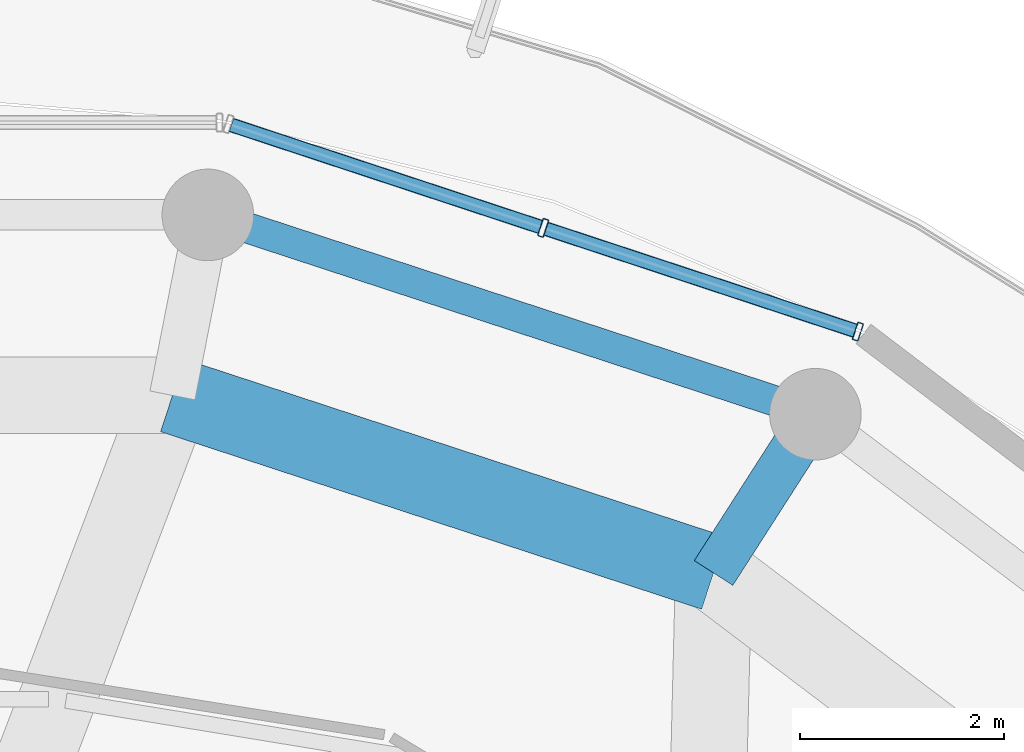
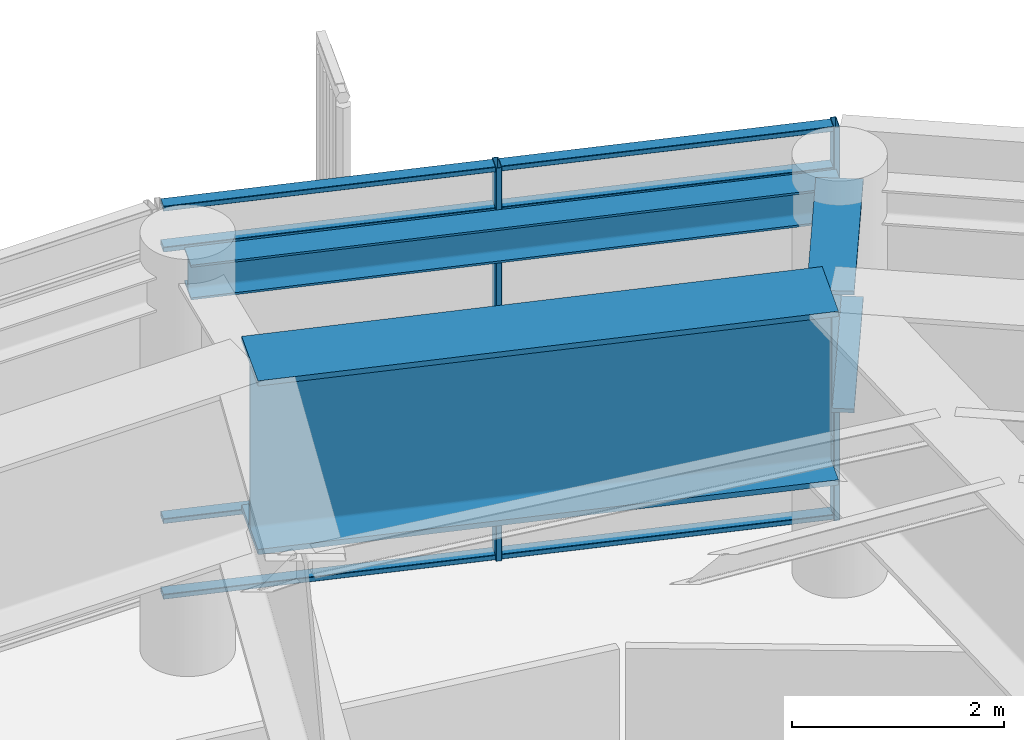
# One storey, part 15 of 23: 10 members, 3 beams, 1 element without a shape of its own.
"""IFC4 building model written with IfcOpenShell, lengths in metres."""

from ifc_helpers import new_model, si_unit, direction, frame, origin, origin_2d, place, context, subcontext, project, spatial, hollow_rectangle, i_section, extrude, material, layer, layer_set, material_profile, profile_set, type_object, element, aggregate, save


model = new_model("IFC4")

# Units and contexts
model_context = context("Model", 3, precision=1e-05, world=origin(), true_north=direction((0.0, 1.0)))
body_context = subcontext(model_context, "Body", "Model", "MODEL_VIEW")
ifc_project = project(units=[si_unit("LENGTHUNIT", "METRE"), si_unit("AREAUNIT", "SQUARE_METRE"), si_unit("VOLUMEUNIT", "CUBIC_METRE"), si_unit("PLANEANGLEUNIT", "RADIAN"), si_unit("MASSUNIT", "GRAM", prefix="KILO")], contexts=[model_context])

# Site, building, storey
site_placement = place(None, origin())
site = spatial("IfcSite", under=ifc_project, at=site_placement, CompositionType="ELEMENT")
building_placement = place(site_placement, origin())
building = spatial("IfcBuilding", under=site, at=building_placement, Name="Kelanora Arch Commons", CompositionType="ELEMENT")
storey_placement = place(building_placement, frame((0.0, 0.0, 293.699951171875)))
storey = spatial("IfcBuildingStorey", under=building, at=storey_placement, Name="L75", CompositionType="ELEMENT", Elevation=293.699951171875)

# Beams
ifc_material_1 = material(Name="Steel S355", Category="steel")
ifc_material_profile_1 = material_profile(ifc_material_1, i_section(OverallWidth=0.449951171875, OverallDepth=1.39990234375, WebThickness=0.028076171875, FlangeThickness=0.044921875, FilletRadius=0.02392578125, at=origin_2d()), Name="PG1400x450")
ifc_profile_set_1 = profile_set([ifc_material_profile_1], Name="Steel S355")
beam_type_1 = type_object("IfcBeamType", Name="BM-MAST-GRIL", PredefinedType="USERDEFINED", material=ifc_profile_set_1)
beam_1_placement = place(storey_placement, frame((82.139892578125, 70.71337890625, 3.820068359375), z_axis=(0.539951170106, 0.841696343048, 0.0), x_axis=(-0.841696343048, 0.539951170106, 0.0)))
element("IfcBeam", 1, at=beam_1_placement, inside=storey, type_object=beam_type_1, Name="Radial Floor Girder BR-06 L75", ObjectType="TRANSFER_GIRDER", PredefinedType="USERDEFINED", context=body_context, shape_type="SweptSolid", body=[
    extrude(i_section(OverallWidth=0.449951171875, OverallDepth=1.39990234375, WebThickness=0.028076171875, FlangeThickness=0.044921875, FilletRadius=0.02392578125, at=origin_2d()), origin(), (0.0, 0.0, 1.0), 1.85205078125),
])
ifc_material_profile_2 = material_profile(ifc_material_1, i_section(OverallWidth=0.300048828125, OverallDepth=0.39990234375, WebThickness=0.013427734375, FlangeThickness=0.02392578125, FilletRadius=0.027099609375, at=origin_2d()), Name="HEB400")
ifc_profile_set_2 = profile_set([ifc_material_profile_2], Name="Steel S355")
beam_type_2 = type_object("IfcBeamType", Name="BM-SPN-Z4", PredefinedType="SPANDREL", material=ifc_profile_set_2)
beam_2_placement = place(storey_placement, frame((83.139892578125, 72.272216796875, 4.320068359375), z_axis=(-0.950165923039, 0.311744636996, 0.0), x_axis=(-0.311744636996, -0.950165923039, 0.0)))
element("IfcBeam", 2, at=beam_2_placement, inside=storey, type_object=beam_type_2, Name="Perimeter Spandrel Beam BS-06 L75", PredefinedType="SPANDREL", context=body_context, shape_type="SweptSolid", body=[
    extrude(i_section(OverallWidth=0.300048828125, OverallDepth=0.39990234375, WebThickness=0.013427734375, FlangeThickness=0.02392578125, FilletRadius=0.027099609375, at=origin_2d()), origin(), (0.0, 0.0, 1.0), 6.278564453125),
])
ifc_material_profile_3 = material_profile(ifc_material_1, i_section(OverallWidth=0.75, OverallDepth=2.0, WebThickness=0.034912109375, FlangeThickness=0.06005859375, FilletRadius=0.028076171875, at=origin_2d()), Name="PG2000x750")
ifc_profile_set_3 = profile_set([ifc_material_profile_3], Name="Steel S355")
beam_type_3 = type_object("IfcBeamType", Name="BM-XFER-SET", PredefinedType="USERDEFINED", material=ifc_profile_set_3)
beam_3_placement = place(storey_placement, frame((82.139892578125, 70.71337890625, 3.5400390625), z_axis=(-0.950140083071, 0.311823383572, 0.0), x_axis=(-0.311823383572, -0.950140083071, 0.0)))
element("IfcBeam", 3, at=beam_3_placement, inside=storey, type_object=beam_type_3, Name="Setback Inner Transfer Ring BSI-06 L75", ObjectType="TRANSFER_GIRDER", PredefinedType="USERDEFINED", context=body_context, shape_type="SweptSolid", body=[
    extrude(i_section(OverallWidth=0.75, OverallDepth=2.0, WebThickness=0.034912109375, FlangeThickness=0.06005859375, FilletRadius=0.028076171875, at=origin_2d()), origin(), (0.0, 0.0, 1.0), 5.591796875),
])

# Curtain wall, members
ifc_material_2 = material(Name="Terracotta ceramic-fritted low-E glass and aluminium", Category="masonry")
ifc_layer = layer(ifc_material_2, 0.22509765625)
ifc_layer_set = layer_set([ifc_layer], Name="Terracotta ceramic-fritted low-E glass and aluminium")
curtain_wall_type = type_object("IfcCurtainWallType", Name="CW-SYS-05", PredefinedType="NOTDEFINED", material=ifc_layer_set)
curtain_wall_placement = place(storey_placement, origin())
curtain_wall = element("IfcCurtainWall", 4, at=curtain_wall_placement, inside=storey, type_object=curtain_wall_type, Name="Unitised Curtain Wall L75-B03", PredefinedType="NOTDEFINED")
ifc_material_3 = material(Name="Powder-coated aluminium terracotta", Category="masonry")
ifc_material_profile_4 = material_profile(ifc_material_3, hollow_rectangle(XDim=0.179931640625, YDim=0.06005859375, WallThickness=0.0048828125, InnerFilletRadius=0.0048828125, OuterFilletRadius=0.010009765625, at=origin_2d()), Name="CWM180x60")
ifc_profile_set_4 = profile_set([ifc_material_profile_4], Name="Powder-coated aluminium terracotta")
member_type_1 = type_object("IfcMemberType", Name="CWM-HVY", PredefinedType="MULLION", material=ifc_profile_set_4)
member_1_placement = place(storey_placement, frame((83.557373046875, 73.0830078125, 0.0), z_axis=(0.0, 0.0, 1.0), x_axis=(-0.313252785344, -0.949669780752, 0.0)))
member_1 = element("IfcMember", 5, at=member_1_placement, type_object=member_type_1, Name="CW-05 mullion 1", PredefinedType="MULLION", context=body_context, shape_type="SweptSolid", body=[
    extrude(hollow_rectangle(XDim=0.179931640625, YDim=0.06005859375, WallThickness=0.0048828125, InnerFilletRadius=0.0048828125, OuterFilletRadius=0.010009765625, at=origin_2d()), origin(), (0.0, 0.0, 1.0), 4.525146484375),
])
member_2_placement = place(storey_placement, frame((80.467041015625, 74.102294921875, 0.0), z_axis=(0.0, 0.0, 1.0), x_axis=(-0.313252785344, -0.949669780752, 0.0)))
member_2 = element("IfcMember", 6, at=member_2_placement, type_object=member_type_1, Name="CW-05 mullion 2", PredefinedType="MULLION", context=body_context, shape_type="SweptSolid", body=[
    extrude(hollow_rectangle(XDim=0.179931640625, YDim=0.06005859375, WallThickness=0.0048828125, InnerFilletRadius=0.0048828125, OuterFilletRadius=0.010009765625, at=origin_2d()), origin(), (0.0, 0.0, 1.0), 4.525146484375),
])
ifc_material_profile_5 = material_profile(ifc_material_3, hollow_rectangle(XDim=0.139892578125, YDim=0.06005859375, WallThickness=0.0048828125, InnerFilletRadius=0.0048828125, OuterFilletRadius=0.010009765625, at=origin_2d()), Name="CWT140x60")
ifc_profile_set_5 = profile_set([ifc_material_profile_5], Name="Powder-coated aluminium terracotta")
member_type_2 = type_object("IfcMemberType", Name="CWT-HVY", PredefinedType="USERDEFINED", material=ifc_profile_set_5)
member_3_placement = place(storey_placement, frame((83.52880859375, 73.09228515625, 0.030029296875), z_axis=(-0.949672315102, 0.313245102003, 0.0), x_axis=(-0.313245102003, -0.949672315102, 0.0)))
member_3 = element("IfcMember", 7, at=member_3_placement, type_object=member_type_2, Name="CW-05 transom 1.1", ObjectType="TRANSOM", PredefinedType="USERDEFINED", context=body_context, shape_type="SweptSolid", body=[
    extrude(hollow_rectangle(XDim=0.139892578125, YDim=0.06005859375, WallThickness=0.0048828125, InnerFilletRadius=0.0048828125, OuterFilletRadius=0.010009765625, at=origin_2d()), origin(), (0.0, 0.0, 1.0), 3.19384765625),
])
member_4_placement = place(storey_placement, frame((83.52880859375, 73.09228515625, 0.900146484375), z_axis=(-0.949672315102, 0.313245102003, 0.0), x_axis=(-0.313245102003, -0.949672315102, 0.0)))
member_4 = element("IfcMember", 8, at=member_4_placement, type_object=member_type_2, Name="CW-05 transom 1.2", ObjectType="TRANSOM", PredefinedType="USERDEFINED", context=body_context, shape_type="SweptSolid", body=[
    extrude(hollow_rectangle(XDim=0.139892578125, YDim=0.06005859375, WallThickness=0.0048828125, InnerFilletRadius=0.0048828125, OuterFilletRadius=0.010009765625, at=origin_2d()), origin(), (0.0, 0.0, 1.0), 3.19384765625),
])
member_5_placement = place(storey_placement, frame((83.52880859375, 73.09228515625, 4.025146484375), z_axis=(-0.949672315102, 0.313245102003, 0.0), x_axis=(-0.313245102003, -0.949672315102, 0.0)))
member_5 = element("IfcMember", 9, at=member_5_placement, type_object=member_type_2, Name="CW-05 transom 1.3", ObjectType="TRANSOM", PredefinedType="USERDEFINED", context=body_context, shape_type="SweptSolid", body=[
    extrude(hollow_rectangle(XDim=0.139892578125, YDim=0.06005859375, WallThickness=0.0048828125, InnerFilletRadius=0.0048828125, OuterFilletRadius=0.010009765625, at=origin_2d()), origin(), (0.0, 0.0, 1.0), 3.19384765625),
])
member_6_placement = place(storey_placement, frame((83.52880859375, 73.09228515625, 4.4951171875), z_axis=(-0.949672315102, 0.313245102003, 0.0), x_axis=(-0.313245102003, -0.949672315102, 0.0)))
member_6 = element("IfcMember", 10, at=member_6_placement, type_object=member_type_2, Name="CW-05 transom 1.4", ObjectType="TRANSOM", PredefinedType="USERDEFINED", context=body_context, shape_type="SweptSolid", body=[
    extrude(hollow_rectangle(XDim=0.139892578125, YDim=0.06005859375, WallThickness=0.0048828125, InnerFilletRadius=0.0048828125, OuterFilletRadius=0.010009765625, at=origin_2d()), origin(), (0.0, 0.0, 1.0), 3.19384765625),
])
member_7_placement = place(storey_placement, frame((80.4384765625, 74.111572265625, 0.030029296875), z_axis=(-0.949649574195, 0.313314037719, 0.0), x_axis=(-0.313314037719, -0.949649574195, 0.0)))
member_7 = element("IfcMember", 11, at=member_7_placement, type_object=member_type_2, Name="CW-05 transom 2.1", ObjectType="TRANSOM", PredefinedType="USERDEFINED", context=body_context, shape_type="SweptSolid", body=[
    extrude(hollow_rectangle(XDim=0.139892578125, YDim=0.06005859375, WallThickness=0.0048828125, InnerFilletRadius=0.0048828125, OuterFilletRadius=0.010009765625, at=origin_2d()), origin(), (0.0, 0.0, 1.0), 3.194091796875),
])
member_8_placement = place(storey_placement, frame((80.4384765625, 74.111572265625, 0.900146484375), z_axis=(-0.949649574195, 0.313314037719, 0.0), x_axis=(-0.313314037719, -0.949649574195, 0.0)))
member_8 = element("IfcMember", 12, at=member_8_placement, type_object=member_type_2, Name="CW-05 transom 2.2", ObjectType="TRANSOM", PredefinedType="USERDEFINED", context=body_context, shape_type="SweptSolid", body=[
    extrude(hollow_rectangle(XDim=0.139892578125, YDim=0.06005859375, WallThickness=0.0048828125, InnerFilletRadius=0.0048828125, OuterFilletRadius=0.010009765625, at=origin_2d()), origin(), (0.0, 0.0, 1.0), 3.194091796875),
])
member_9_placement = place(storey_placement, frame((80.4384765625, 74.111572265625, 4.025146484375), z_axis=(-0.949649574195, 0.313314037719, 0.0), x_axis=(-0.313314037719, -0.949649574195, 0.0)))
member_9 = element("IfcMember", 13, at=member_9_placement, type_object=member_type_2, Name="CW-05 transom 2.3", ObjectType="TRANSOM", PredefinedType="USERDEFINED", context=body_context, shape_type="SweptSolid", body=[
    extrude(hollow_rectangle(XDim=0.139892578125, YDim=0.06005859375, WallThickness=0.0048828125, InnerFilletRadius=0.0048828125, OuterFilletRadius=0.010009765625, at=origin_2d()), origin(), (0.0, 0.0, 1.0), 3.194091796875),
])
member_10_placement = place(storey_placement, frame((80.4384765625, 74.111572265625, 4.4951171875), z_axis=(-0.949649574195, 0.313314037719, 0.0), x_axis=(-0.313314037719, -0.949649574195, 0.0)))
member_10 = element("IfcMember", 14, at=member_10_placement, type_object=member_type_2, Name="CW-05 transom 2.4", ObjectType="TRANSOM", PredefinedType="USERDEFINED", context=body_context, shape_type="SweptSolid", body=[
    extrude(hollow_rectangle(XDim=0.139892578125, YDim=0.06005859375, WallThickness=0.0048828125, InnerFilletRadius=0.0048828125, OuterFilletRadius=0.010009765625, at=origin_2d()), origin(), (0.0, 0.0, 1.0), 3.194091796875),
])
aggregate(curtain_wall, [member_1, member_2, member_3, member_4, member_5, member_6, member_7, member_8, member_9, member_10])

save(model, "model.ifc")
